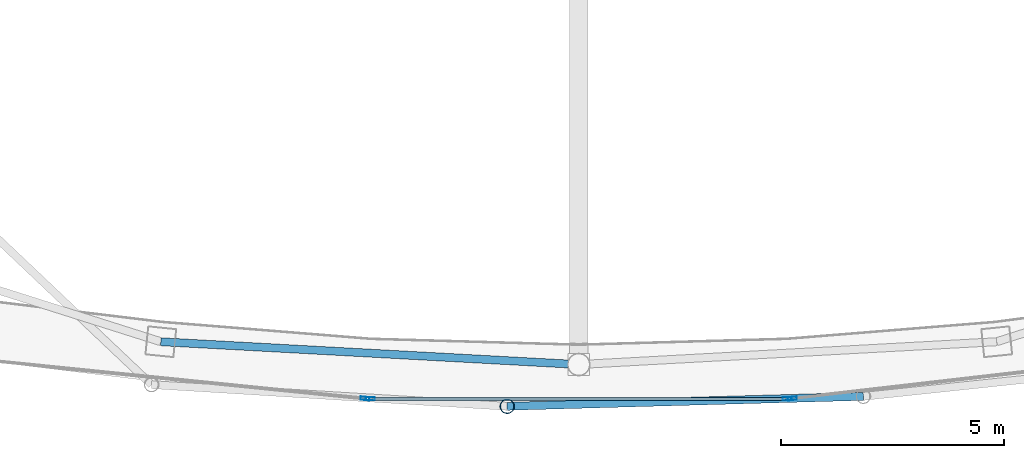
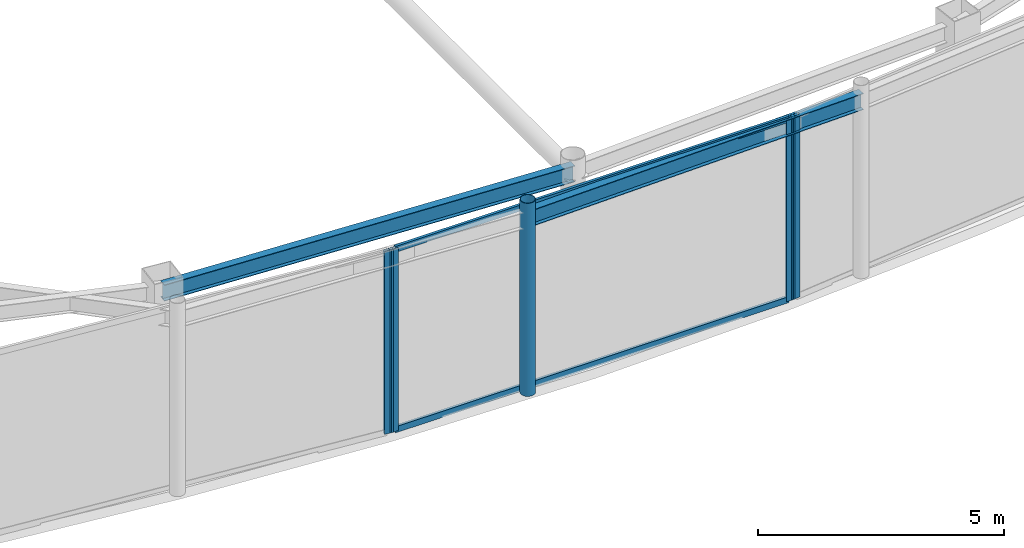
# One storey, part 6 of 20: 7 members, 2 beams, 3 elements without a shape of their own.
"""IFC4 building model written with IfcOpenShell, lengths in metres."""

from ifc_helpers import new_model, si_unit, direction, frame, origin, origin_2d, place, context, subcontext, project, spatial, hollow_rectangle, hollow_circle, i_section, extrude, material, layer, layer_set, material_profile, profile_set, type_object, element, aggregate, save


model = new_model("IFC4")

# Units and contexts
model_context = context("Model", 3, precision=1e-05, world=origin(), true_north=direction((0.0, 1.0)))
body_context = subcontext(model_context, "Body", "Model", "MODEL_VIEW")
ifc_project = project(units=[si_unit("LENGTHUNIT", "METRE"), si_unit("AREAUNIT", "SQUARE_METRE"), si_unit("VOLUMEUNIT", "CUBIC_METRE"), si_unit("PLANEANGLEUNIT", "RADIAN"), si_unit("MASSUNIT", "GRAM", prefix="KILO")], contexts=[model_context])

# Site, building, storey
site_placement = place(None, origin())
site = spatial("IfcSite", under=ifc_project, at=site_placement, CompositionType="ELEMENT")
building_placement = place(site_placement, origin())
building = spatial("IfcBuilding", under=site, at=building_placement, Name="Orvanel Arch Residences", CompositionType="ELEMENT")
storey_placement = place(building_placement, frame((0.0, 0.0, 305.300048828125)))
storey = spatial("IfcBuildingStorey", under=building, at=storey_placement, Name="L85", CompositionType="ELEMENT", Elevation=305.300048828125)

# Curtain wall, member
ifc_material_1 = material(Name="Bronze-anodised aluminium AA6063-T6", Category="aluminium")
ifc_layer = layer(ifc_material_1, 0.2099609375)
ifc_layer_set = layer_set([ifc_layer], Name="Bronze-anodised aluminium AA6063-T6")
curtain_wall_type = type_object("IfcCurtainWallType", Name="CW7-TOP-SYS", PredefinedType="NOTDEFINED", material=ifc_layer_set)
curtain_wall_1_placement = place(storey_placement, origin())
curtain_wall_1 = element("IfcCurtainWall", 1, at=curtain_wall_1_placement, inside=storey, type_object=curtain_wall_type, Name="L85 CW7-TOP-SYS Unitised Curtain Wall", PredefinedType="NOTDEFINED")
ifc_material_profile_1 = material_profile(ifc_material_1, hollow_rectangle(XDim=0.074951171875, YDim=0.199951171875, WallThickness=0.0048828125, at=origin_2d()), Name="ALU200x75x5")
ifc_profile_set_1 = profile_set([ifc_material_profile_1], Name="Bronze-anodised aluminium AA6063-T6")
member_type_1 = type_object("IfcMemberType", Name="MUL-200x75", PredefinedType="MULLION", material=ifc_profile_set_1)
member_1_placement = place(storey_placement, frame((28.2216796875, 6.083740234375, 0.0), z_axis=(0.0, 0.0, 1.0), x_axis=(0.10054103466, 0.994932912487, 0.0)))
member_1 = element("IfcMember", 2, at=member_1_placement, type_object=member_type_1, Name="CW-S7 mullion 2", PredefinedType="MULLION", context=body_context, shape_type="SweptSolid", body=[
    extrude(hollow_rectangle(XDim=0.074951171875, YDim=0.199951171875, WallThickness=0.0048828125, at=origin_2d()), origin(), (0.0, 0.0, 1.0), 4.550048828125),
])
aggregate(curtain_wall_1, [member_1])

# Curtain wall, members
curtain_wall_2_placement = place(storey_placement, origin())
curtain_wall_2 = element("IfcCurtainWall", 3, at=curtain_wall_2_placement, inside=storey, type_object=curtain_wall_type, Name="L85 CW7-TOP-SYS Unitised Curtain Wall", PredefinedType="NOTDEFINED")
member_2_placement = place(storey_placement, frame((28.33642578125, 6.077880859375, 0.0), z_axis=(0.0, 0.0, 1.0), x_axis=(0.0, 1.0, 0.0)))
member_2 = element("IfcMember", 4, at=member_2_placement, type_object=member_type_1, Name="CW-S7 mullion 1", PredefinedType="MULLION", context=body_context, shape_type="SweptSolid", body=[
    extrude(hollow_rectangle(XDim=0.074951171875, YDim=0.199951171875, WallThickness=0.0048828125, at=origin_2d()), origin(), (0.0, 0.0, 1.0), 4.550048828125),
])
member_3_placement = place(storey_placement, frame((37.66357421875, 6.077880859375, 0.0), z_axis=(0.0, 0.0, 1.0), x_axis=(0.0, 1.0, 0.0)))
member_3 = element("IfcMember", 5, at=member_3_placement, type_object=member_type_1, Name="CW-S7 mullion 2", PredefinedType="MULLION", context=body_context, shape_type="SweptSolid", body=[
    extrude(hollow_rectangle(XDim=0.074951171875, YDim=0.199951171875, WallThickness=0.0048828125, at=origin_2d()), origin(), (0.0, 0.0, 1.0), 4.550048828125),
])

# Curtain wall, member
curtain_wall_3_placement = place(storey_placement, origin())
curtain_wall_3 = element("IfcCurtainWall", 6, at=curtain_wall_3_placement, inside=storey, type_object=curtain_wall_type, Name="L85 CW7-TOP-SYS Unitised Curtain Wall", PredefinedType="NOTDEFINED")
member_4_placement = place(storey_placement, frame((37.7783203125, 6.084228515625, 0.0), z_axis=(0.0, 0.0, 1.0), x_axis=(-0.11424494002, 0.9934526127, 0.0)))
member_4 = element("IfcMember", 7, at=member_4_placement, type_object=member_type_1, Name="CW-S7 mullion 1", PredefinedType="MULLION", context=body_context, shape_type="SweptSolid", body=[
    extrude(hollow_rectangle(XDim=0.074951171875, YDim=0.199951171875, WallThickness=0.0048828125, at=origin_2d()), origin(), (0.0, 0.0, 1.0), 4.550048828125),
])
aggregate(curtain_wall_3, [member_4])

# Beams
ifc_material_2 = material(Name="Structural steel AS/NZS 3679.1 Grade 300 (300 MPa)", Category="steel")
ifc_material_profile_2 = material_profile(ifc_material_2, i_section(OverallWidth=0.177978515625, OverallDepth=0.406005859375, WebThickness=0.0078125, FlangeThickness=0.0126953125, at=origin_2d()), Name="410UB59.7")
ifc_profile_set_2 = profile_set([ifc_material_profile_2], Name="Structural steel AS/NZS 3679.1 Grade 300 (300 MPa)")
beam_type_1 = type_object("IfcBeamType", Name="OB-410UB", PredefinedType="SPANDREL", material=ifc_profile_set_2)
beam_1_placement = place(storey_placement, frame((23.64892578125, 7.35498046875, 4.346923828125), z_axis=(0.998510315598, -0.054563262768, 0.0), x_axis=(0.054563262768, 0.998510315598, 0.0)))
element("IfcBeam", 8, at=beam_1_placement, inside=storey, type_object=beam_type_1, Name="L85 Perimeter Spandrel Beam 03", PredefinedType="SPANDREL", context=body_context, shape_type="SweptSolid", body=[
    extrude(i_section(OverallWidth=0.177978515625, OverallDepth=0.406005859375, WebThickness=0.0078125, FlangeThickness=0.0126953125, at=origin_2d()), origin(), (0.0, 0.0, 1.0), 9.364990234375),
])
ifc_material_profile_3 = material_profile(ifc_material_2, i_section(OverallWidth=0.177978515625, OverallDepth=0.406005859375, WebThickness=0.0078125, FlangeThickness=0.0126953125, at=origin_2d()), Name="410UB59.7")
ifc_profile_set_3 = profile_set([ifc_material_profile_3], Name="Structural steel AS/NZS 3679.1 Grade 300 (300 MPa)")
beam_type_2 = type_object("IfcBeamType", Name="OB-410UB-EXT", PredefinedType="SPANDREL", material=ifc_profile_set_3)
beam_2_placement = place(storey_placement, frame((31.39892578125, 5.908935546875, 4.346923828125), z_axis=(0.999611510585, 0.027871632645, 0.0), x_axis=(-0.027871632645, 0.999611510585, 0.0)))
element("IfcBeam", 9, at=beam_2_placement, inside=storey, type_object=beam_type_2, Name="L85 Outer Perimeter Floor Ring Beam 06", PredefinedType="SPANDREL", context=body_context, shape_type="SweptSolid", body=[
    extrude(i_section(OverallWidth=0.177978515625, OverallDepth=0.406005859375, WebThickness=0.0078125, FlangeThickness=0.0126953125, at=origin_2d()), origin(), (0.0, 0.0, 1.0), 7.97119140625),
])

# Member
ifc_material_3 = material(Name="Structural steel AS/NZS 1163 C350L0 (Grade 350)", Category="steel")
ifc_material_profile_4 = material_profile(ifc_material_3, hollow_circle(Radius=0.162109375, WallThickness=0.0126953125, at=origin_2d()), Name="CHS324x12.7")
ifc_profile_set_4 = profile_set([ifc_material_profile_4], Name="Structural steel AS/NZS 1163 C350L0 (Grade 350)")
member_type_2 = type_object("IfcMemberType", Name="ST-324CHS-EXT", PredefinedType="STRUT", material=ifc_profile_set_4)
member_5_placement = place(storey_placement, frame((31.39892578125, 5.908935546875, 0.0), z_axis=(0.0, 0.0, 1.0), x_axis=(1.0, 0.0, 0.0)))
element("IfcMember", 10, at=member_5_placement, inside=storey, type_object=member_type_2, Name="L85 Outer Perimeter Frame Post 06", PredefinedType="STRUT", context=body_context, shape_type="SweptSolid", body=[
    extrude(hollow_circle(Radius=0.162109375, WallThickness=0.0126953125, at=origin_2d()), origin(), (0.0, 0.0, 1.0), 4.800048828125),
])

ifc_material_profile_5 = material_profile(ifc_material_1, hollow_rectangle(XDim=0.06494140625, YDim=0.14990234375, WallThickness=0.00390625, at=origin_2d()), Name="ALU150x65x4")
ifc_profile_set_5 = profile_set([ifc_material_profile_5], Name="Bronze-anodised aluminium AA6063-T6")
member_type_3 = type_object("IfcMemberType", Name="TRN-150x65", PredefinedType="USERDEFINED", material=ifc_profile_set_5)
member_6_placement = place(storey_placement, frame((28.3740234375, 6.077880859375, 0.032470703125), z_axis=(1.0, 0.0, 0.0), x_axis=(0.0, 1.0, 0.0)))
member_6 = element("IfcMember", 11, at=member_6_placement, type_object=member_type_3, Name="CW-S7 transom 1.1", ObjectType="TRANSOM", PredefinedType="USERDEFINED", context=body_context, shape_type="SweptSolid", body=[
    extrude(hollow_rectangle(XDim=0.06494140625, YDim=0.14990234375, WallThickness=0.00390625, at=origin_2d()), origin(), (0.0, 0.0, 1.0), 9.251953125),
])

member_7_placement = place(storey_placement, frame((28.3740234375, 6.077880859375, 4.517333984375), z_axis=(1.0, 0.0, 0.0), x_axis=(0.0, 1.0, 0.0)))
member_7 = element("IfcMember", 12, at=member_7_placement, type_object=member_type_3, Name="CW-S7 transom 1.2", ObjectType="TRANSOM", PredefinedType="USERDEFINED", context=body_context, shape_type="SweptSolid", body=[
    extrude(hollow_rectangle(XDim=0.06494140625, YDim=0.14990234375, WallThickness=0.00390625, at=origin_2d()), origin(), (0.0, 0.0, 1.0), 9.251953125),
])

aggregate(curtain_wall_2, [member_2, member_3, member_6, member_7])

save(model, "model.ifc")
